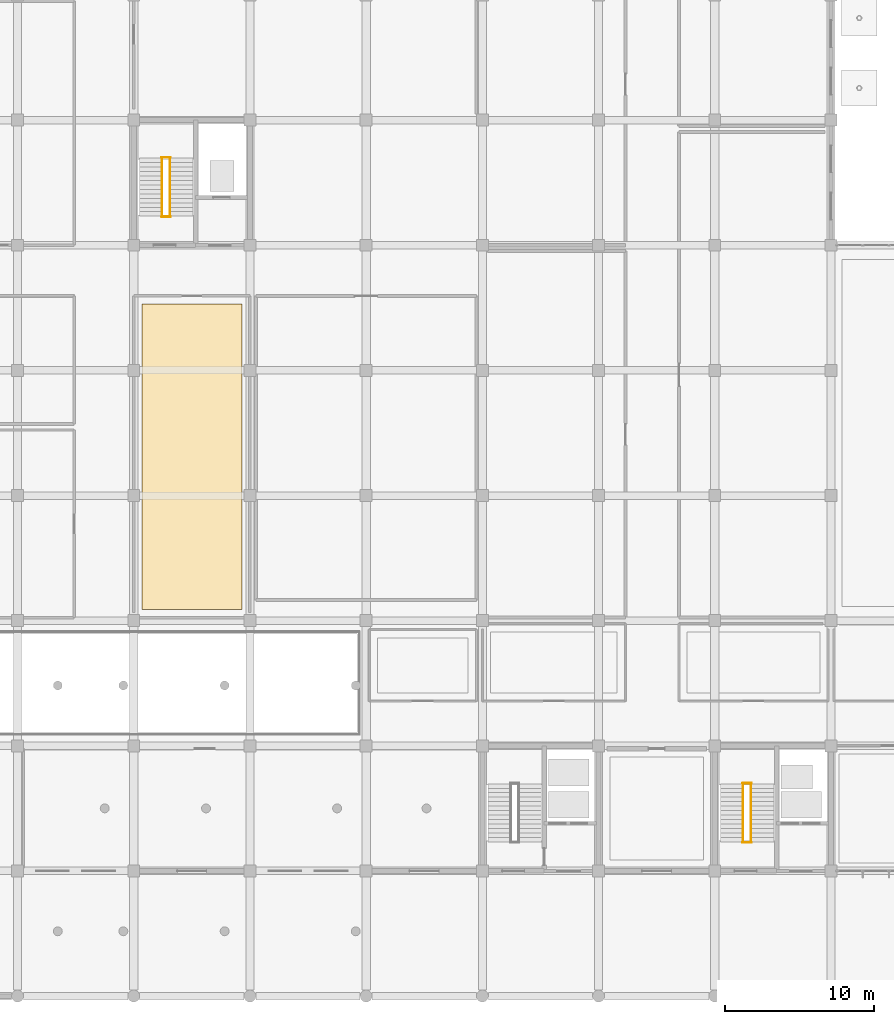
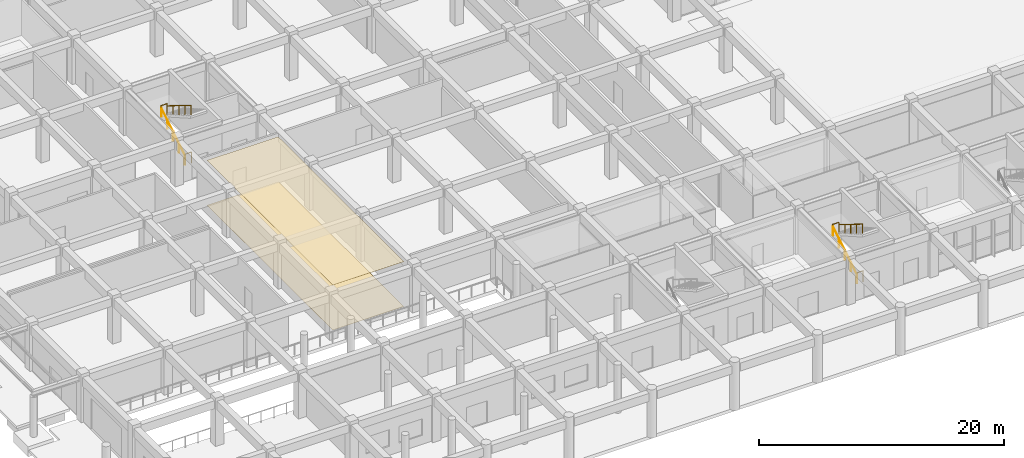
# One storey, part 134 of 139: 8 railings, 2 coverings.
"""IFC4 building model written with IfcOpenShell, lengths in metres."""

from ifc_helpers import new_model, si_unit, direction, frame, origin, origin_2d, place, context, subcontext, project, spatial, polyline, circle, hollow_circle, outline, extrude, material, layer, layer_set, material_profile, profile_set, type_object, element, save


model = new_model("IFC4")

# Units and contexts
model_context = context("Model", 3, precision=1e-05, world=origin(), true_north=direction((0.0, 1.0)))
body_context = subcontext(model_context, "Body", "Model", "MODEL_VIEW")
ifc_project = project(units=[si_unit("LENGTHUNIT", "METRE"), si_unit("AREAUNIT", "SQUARE_METRE"), si_unit("VOLUMEUNIT", "CUBIC_METRE"), si_unit("PLANEANGLEUNIT", "RADIAN"), si_unit("MASSUNIT", "GRAM", prefix="KILO")], contexts=[model_context])

# Site, building, storey
site_placement = place(None, origin())
site = spatial("IfcSite", under=ifc_project, at=site_placement, CompositionType="ELEMENT")
building_placement = place(site_placement, origin())
building = spatial("IfcBuilding", under=site, at=building_placement, Name="Zizhar Promenade General Hospital", CompositionType="ELEMENT")
storey_placement = place(building_placement, origin())
storey = spatial("IfcBuildingStorey", under=building, at=storey_placement, Name="L00", CompositionType="ELEMENT", Elevation=0.0)

# Coverings
ifc_material_1 = material(Name="Hygienic acoustic mineral ceiling tile")
ifc_layer_1 = layer(ifc_material_1, 0.02001953125)
ifc_layer_set_1 = layer_set([ifc_layer_1], Name="Hygienic acoustic mineral ceiling tile")
covering_type_1 = type_object("IfcCoveringType", Name="COV-CLG-ACOUST-20", PredefinedType="CEILING", material=ifc_layer_set_1)
covering_1_placement = place(storey_placement, frame((0.0, 0.0, 4.4599609375)))
element("IfcCovering", 1, at=covering_1_placement, inside=storey, type_object=covering_type_1, Name="Emergency Nurse Station and Accessible Toilet Hygienic Ceiling", PredefinedType="CEILING", context=body_context, shape_type="SweptSolid", body=[
    extrude(outline(polyline([(23.949951171875, 25.949951171875), (30.64990234375, 25.949951171875), (30.64990234375, 46.449951171875), (23.949951171875, 46.449951171875), (23.949951171875, 25.949951171875)])), origin(), (0.0, 0.0, 1.0), 0.02001953125),
])
ifc_material_2 = material(Name="Seamless antimicrobial vinyl flooring")
ifc_layer_2 = layer(ifc_material_2, 0.008056640625)
ifc_layer_set_2 = layer_set([ifc_layer_2], Name="Seamless antimicrobial vinyl flooring")
covering_type_2 = type_object("IfcCoveringType", Name="COV-FLR-VINYL-08", PredefinedType="FLOORING", material=ifc_layer_set_2)
covering_2_placement = place(storey_placement, origin())
element("IfcCovering", 2, at=covering_2_placement, inside=storey, type_object=covering_type_2, Name="Emergency Nurse Station and Accessible Toilet Clinical Flooring", PredefinedType="FLOORING", context=body_context, shape_type="SweptSolid", body=[
    extrude(outline(polyline([(23.949951171875, 25.949951171875), (30.64990234375, 25.949951171875), (30.64990234375, 46.449951171875), (23.949951171875, 46.449951171875), (23.949951171875, 25.949951171875)])), origin(), (0.0, 0.0, 1.0), 0.008056640625),
])

# Railings
ifc_material_3 = material(Name="Anodised aluminium 6063-T6", Category="aluminium")
ifc_material_profile_1 = material_profile(ifc_material_3, hollow_circle(Radius=0.06982421875, WallThickness=0.00634765625, at=origin_2d()))
ifc_profile_set_1 = profile_set([ifc_material_profile_1], Name="Anodised aluminium 6063-T6")
railing_type_1 = type_object("IfcRailingType", Name="RL-HANDRAIL-920", PredefinedType="HANDRAIL", material=ifc_profile_set_1)
railing_1_placement = place(storey_placement, frame((25.300048828125, 52.35009765625, 0.0)))
element("IfcRailing", 3, at=railing_1_placement, inside=storey, type_object=railing_type_1, Name="Stair ST-01 Flight 1 Handrail (L00)", PredefinedType="HANDRAIL", context=body_context, shape_type="SweptSolid", body=[
    extrude(circle(Radius=0.02392578125, at=origin_2d()), frame((0.0, 0.0, 0.89599609375), z_axis=(0.0, 0.851661977835, 0.524091476281), x_axis=(-1.0, 0.0, 0.0)), (0.0, 0.0, 1.0), 4.5791015625),
    extrude(circle(Radius=0.02099609375, at=origin_2d()), origin(), (0.0, 0.0, 1.0), 0.871826171875),
    extrude(circle(Radius=0.02099609375, at=origin_2d()), frame((0.0, 0.97509765625, 0.60009765625)), (0.0, 0.0, 1.0), 0.871826171875),
    extrude(circle(Radius=0.02099609375, at=origin_2d()), frame((0.0, 1.949951171875, 1.199951171875)), (0.0, 0.0, 1.0), 0.871826171875),
    extrude(circle(Radius=0.02099609375, at=origin_2d()), frame((0.0, 2.9248046875, 1.7998046875)), (0.0, 0.0, 1.0), 0.871826171875),
    extrude(circle(Radius=0.02099609375, at=origin_2d()), frame((0.0, 3.89990234375, 2.39990234375)), (0.0, 0.0, 1.0), 0.871826171875),
])
railing_2_placement = place(storey_placement, frame((25.840087890625, 56.25, 2.39990234375)))
element("IfcRailing", 4, at=railing_2_placement, inside=storey, type_object=railing_type_1, Name="Stair ST-01 Flight 2 Handrail (L00)", PredefinedType="HANDRAIL", context=body_context, shape_type="SweptSolid", body=[
    extrude(circle(Radius=0.02392578125, at=origin_2d()), frame((0.0, 0.0, 0.89599609375), z_axis=(0.0, -0.851638180308, 0.5241301459), x_axis=(1.0, 0.0, 0.0)), (0.0, 0.0, 1.0), 4.579345703125),
    extrude(circle(Radius=0.02099609375, at=origin_2d()), origin(), (0.0, 0.0, 1.0), 0.871826171875),
    extrude(circle(Radius=0.02099609375, at=origin_2d()), frame((0.0, -0.97509765625, 0.60009765625)), (0.0, 0.0, 1.0), 0.871826171875),
    extrude(circle(Radius=0.02099609375, at=origin_2d()), frame((0.0, -1.949951171875, 1.2001953125)), (0.0, 0.0, 1.0), 0.871826171875),
    extrude(circle(Radius=0.02099609375, at=origin_2d()), frame((0.0, -2.9248046875, 1.800048828125)), (0.0, 0.0, 1.0), 0.871826171875),
    extrude(circle(Radius=0.02099609375, at=origin_2d()), frame((0.0, -3.89990234375, 2.400146484375)), (0.0, 0.0, 1.0), 0.871826171875),
])
railing_3_placement = place(storey_placement, frame((64.300048828125, 10.35009765625, 0.0)))
element("IfcRailing", 5, at=railing_3_placement, inside=storey, type_object=railing_type_1, Name="Stair ST-03 Flight 1 Handrail (L00)", PredefinedType="HANDRAIL", context=body_context, shape_type="SweptSolid", body=[
    extrude(circle(Radius=0.02392578125, at=origin_2d()), frame((0.0, 0.0, 0.89599609375), z_axis=(0.0, 0.851661977835, 0.524091476281), x_axis=(-1.0, 0.0, 0.0)), (0.0, 0.0, 1.0), 4.5791015625),
    extrude(circle(Radius=0.02099609375, at=origin_2d()), origin(), (0.0, 0.0, 1.0), 0.871826171875),
    extrude(circle(Radius=0.02099609375, at=origin_2d()), frame((0.0, 0.97509765625, 0.60009765625)), (0.0, 0.0, 1.0), 0.871826171875),
    extrude(circle(Radius=0.02099609375, at=origin_2d()), frame((0.0, 1.949951171875, 1.199951171875)), (0.0, 0.0, 1.0), 0.871826171875),
    extrude(circle(Radius=0.02099609375, at=origin_2d()), frame((0.0, 2.9248046875, 1.7998046875)), (0.0, 0.0, 1.0), 0.871826171875),
    extrude(circle(Radius=0.02099609375, at=origin_2d()), frame((0.0, 3.89990234375, 2.39990234375)), (0.0, 0.0, 1.0), 0.871826171875),
])
railing_4_placement = place(storey_placement, frame((64.840087890625, 14.25, 2.39990234375)))
element("IfcRailing", 6, at=railing_4_placement, inside=storey, type_object=railing_type_1, Name="Stair ST-03 Flight 2 Handrail (L00)", PredefinedType="HANDRAIL", context=body_context, shape_type="SweptSolid", body=[
    extrude(circle(Radius=0.02392578125, at=origin_2d()), frame((0.0, 0.0, 0.89599609375), z_axis=(0.0, -0.851638180308, 0.5241301459), x_axis=(1.0, 0.0, 0.0)), (0.0, 0.0, 1.0), 4.579345703125),
    extrude(circle(Radius=0.02099609375, at=origin_2d()), origin(), (0.0, 0.0, 1.0), 0.871826171875),
    extrude(circle(Radius=0.02099609375, at=origin_2d()), frame((0.0, -0.97509765625, 0.60009765625)), (0.0, 0.0, 1.0), 0.871826171875),
    extrude(circle(Radius=0.02099609375, at=origin_2d()), frame((0.0, -1.949951171875, 1.2001953125)), (0.0, 0.0, 1.0), 0.871826171875),
    extrude(circle(Radius=0.02099609375, at=origin_2d()), frame((0.0, -2.9248046875, 1.800048828125)), (0.0, 0.0, 1.0), 0.871826171875),
    extrude(circle(Radius=0.02099609375, at=origin_2d()), frame((0.0, -3.89990234375, 2.400146484375)), (0.0, 0.0, 1.0), 0.871826171875),
])
ifc_material_4 = material(Name="Steel S355", Category="steel")
ifc_material_profile_2 = material_profile(ifc_material_4, hollow_circle(Radius=0.06982421875, WallThickness=0.00634765625, at=origin_2d()))
ifc_profile_set_2 = profile_set([ifc_material_profile_2], Name="Steel S355")
railing_type_2 = type_object("IfcRailingType", Name="RL-STAIR-GUARD-1100", PredefinedType="GUARDRAIL", material=ifc_profile_set_2)
for number, where, name in (
    (7, (25.280029296875, 56.2900390625, 2.39990234375), "Stair ST-01 Half-Landing Guard (L00)"),
    (8, (25.280029296875, 52.31005859375, 0.0), "Stair ST-01 Landing Well Guard (L00)"),
    (9, (64.280029296875, 14.2900390625, 2.39990234375), "Stair ST-03 Half-Landing Guard (L00)"),
    (10, (64.280029296875, 10.31005859375, 0.0), "Stair ST-03 Landing Well Guard (L00)"),
):
    element("IfcRailing", number, at=place(storey_placement, frame(where)), inside=storey, type_object=railing_type_2, Name=name, PredefinedType="GUARDRAIL", context=body_context, shape_type="SweptSolid", body=[
        extrude(circle(Radius=0.02392578125, at=origin_2d()), frame((0.0, 0.0, 1.076171875), z_axis=(1.0, 0.0, 0.0), x_axis=(0.0, 1.0, 0.0)), (0.0, 0.0, 1.0), 0.580078125),
        extrude(circle(Radius=0.02099609375, at=origin_2d()), origin(), (0.0, 0.0, 1.0), 1.052001953125),
        extrude(circle(Radius=0.02099609375, at=origin_2d()), frame((0.580078125, 0.0, 0.0)), (0.0, 0.0, 1.0), 1.052001953125),
    ])

save(model, "model.ifc")
